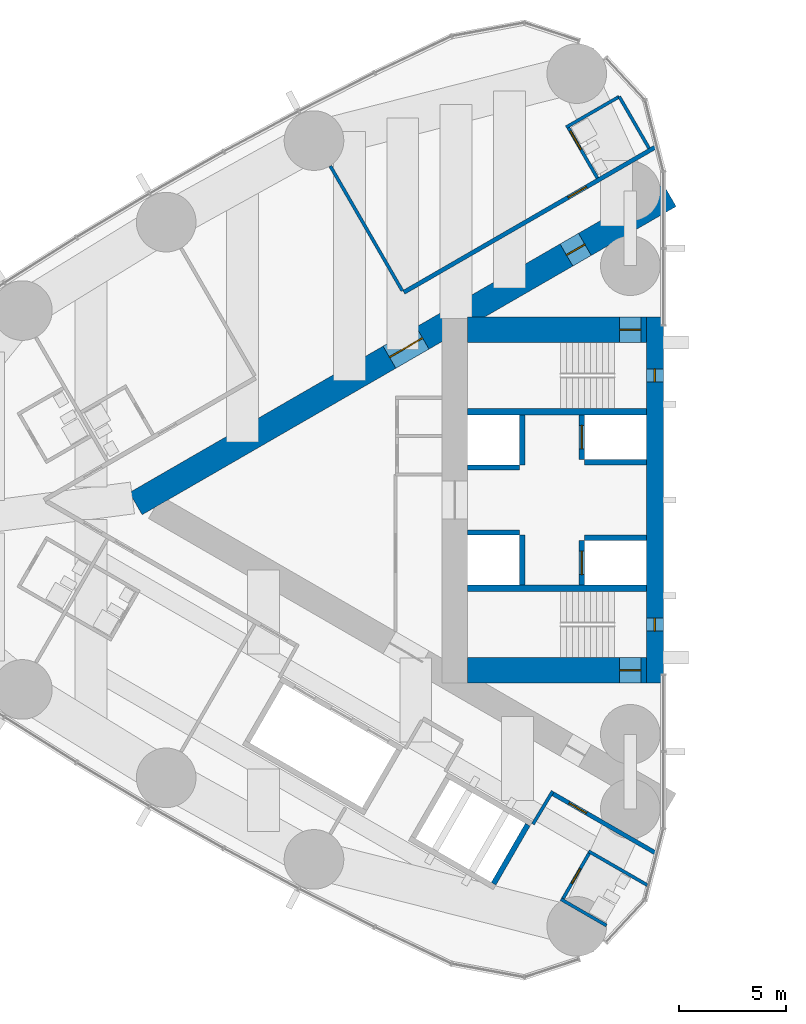
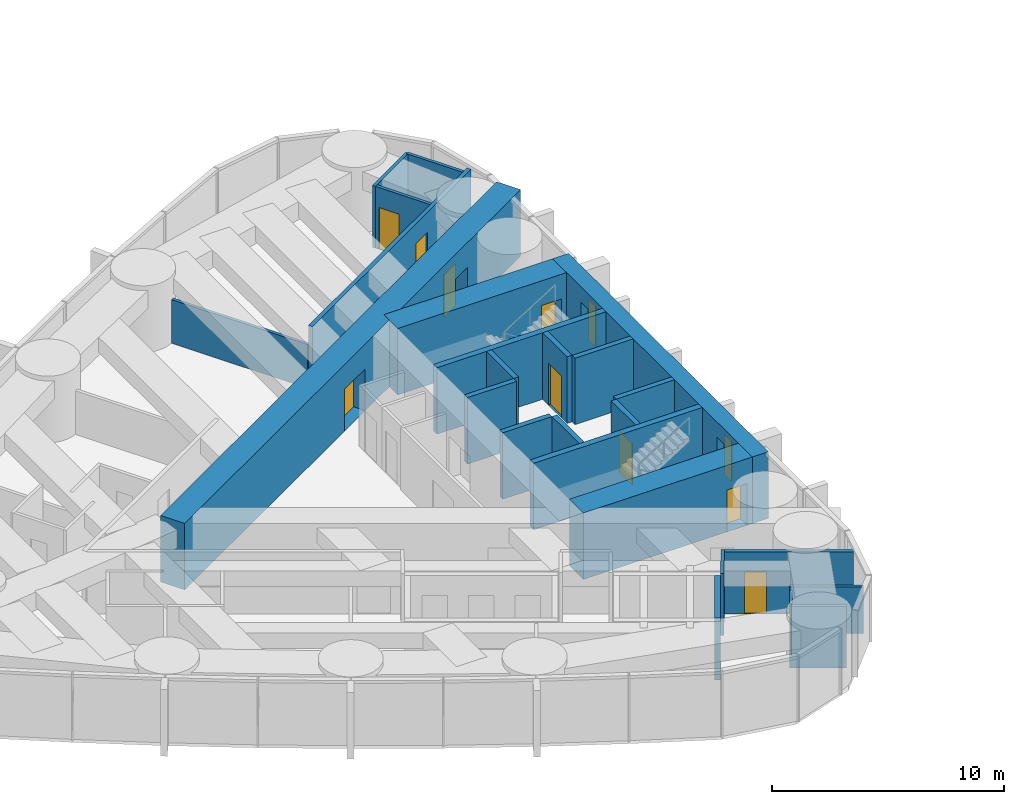
# One storey, part 13 of 19: 25 walls, 10 doors, 2 windows, 12 openings.
"""IFC4 building model written with IfcOpenShell, lengths in metres."""

from ifc_helpers import new_model, si_unit, direction, frame, frame_2d, origin, place, context, subcontext, project, spatial, rectangle, extrude, material, layer, layer_set, type_object, element, fill, save


model = new_model("IFC4")

# Units and contexts
model_context = context("Model", 3, precision=1e-05, world=origin(), true_north=direction((0.0, 1.0)))
body_context = subcontext(model_context, "Body", "Model", "MODEL_VIEW")
ifc_project = project(units=[si_unit("LENGTHUNIT", "METRE"), si_unit("AREAUNIT", "SQUARE_METRE"), si_unit("VOLUMEUNIT", "CUBIC_METRE"), si_unit("PLANEANGLEUNIT", "RADIAN"), si_unit("MASSUNIT", "GRAM", prefix="KILO")], contexts=[model_context])

# Site, building, storey
site_placement = place(None, origin())
site = spatial("IfcSite", under=ifc_project, at=site_placement, CompositionType="ELEMENT")
building_placement = place(site_placement, origin())
building = spatial("IfcBuilding", under=site, at=building_placement, Name="Lancet Gate Hotel", CompositionType="ELEMENT")
storey_placement = place(building_placement, frame((0.0, 0.0, 159.800048828125)))
storey = spatial("IfcBuildingStorey", under=building, at=storey_placement, Name="L42", CompositionType="ELEMENT", Elevation=159.800048828125)

# Wall
ifc_material_1 = material(Name="Moisture resistant board partition")
ifc_layer_1 = layer(ifc_material_1, 0.14990234375)
ifc_layer_set_1 = layer_set([ifc_layer_1], Name="Bathroom wall 150")
wall_type_1 = type_object("IfcWallType", Name="Bathroom wall 150", PredefinedType="PARTITIONING", material=ifc_layer_set_1)
wall_1_placement = place(storey_placement, frame((-29.56982421875, 18.936279296875, 0.0), z_axis=(0.0, 0.0, 1.0), x_axis=(-0.866018712932, -0.500011588718, 0.0)))
element("IfcWall", 1, at=wall_1_placement, inside=storey, type_object=wall_type_1, Name="T1 bathroom wall 150 L42", PredefinedType="PARTITIONING", context=body_context, shape_type="SweptSolid", body=[
    extrude(rectangle(XDim=2.875, YDim=0.14990234375, at=frame_2d((1.4375, 0.0))), origin(), (0.0, 0.0, 1.0), 3.25),
])

# Wall, opening, door
wall_2_placement = place(storey_placement, frame((-30.5947265625, 15.111328125, 0.0), z_axis=(0.0, 0.0, 1.0), x_axis=(-0.49998411664, 0.866034573852, 0.0)))
wall_2 = element("IfcWall", 2, at=wall_2_placement, inside=storey, type_object=wall_type_1, Name="T1 bathroom wall 150 L42", PredefinedType="PARTITIONING", context=body_context, shape_type="SweptSolid", body=[
    extrude(rectangle(XDim=2.7998046875, YDim=0.14990234375, at=frame_2d((1.39990234375, 0.0))), origin(), (0.0, 0.0, 1.0), 3.25),
])
opening_1_placement = place(wall_2_placement, frame((1.550048828125, 0.0, 0.0)))
opening_1 = element("IfcOpeningElement", 3, at=opening_1_placement, cuts=wall_2, Name="Opening 4201-B", PredefinedType="OPENING", context=body_context, shape_type="SweptSolid", body=[
    extrude(rectangle(XDim=1.0, YDim=2.199951171875, at=frame_2d((0.5, 1.10009765625))), frame((0.0, 0.0849609375, 0.0), z_axis=(0.0, -1.0, 0.0), x_axis=(1.0, 0.0, 0.0)), (0.0, 0.0, 1.0), 0.169921875),
])
ifc_material_2 = material(Name="Timber door set", Category="wood")
door_type_1 = type_object("IfcDoorType", Name="Accessible en-suite door 1000", OperationType="SINGLE_SWING_RIGHT", PredefinedType="DOOR", material=ifc_material_2)
door_1_placement = place(opening_1_placement, origin())
door_1 = element("IfcDoor", 4, at=door_1_placement, inside=storey, type_object=door_type_1, Name="4201-B", OperationType="SINGLE_SWING_RIGHT", OverallHeight=2.199951171875, OverallWidth=1.0, PredefinedType="DOOR", context=body_context, shape_type="SweptSolid", body=[
    extrude(rectangle(XDim=1.0, YDim=2.199951171875, at=frame_2d((0.5, 1.10009765625))), frame((0.0, 0.02490234375, 0.0), z_axis=(0.0, -1.0, 0.0), x_axis=(1.0, 0.0, 0.0)), (0.0, 0.0, 1.0), 0.050048828125),
])
fill(opening_1, door_1)

# Walls
wall_3_placement = place(storey_placement, frame((-28.169921875, 16.51123046875, 0.0), z_axis=(0.0, 0.0, 1.0), x_axis=(-0.49994636267, 0.866056369097, 0.0)))
element("IfcWall", 5, at=wall_3_placement, inside=storey, type_object=wall_type_1, Name="T1 bathroom wall 150 L42", PredefinedType="PARTITIONING", context=body_context, shape_type="SweptSolid", body=[
    extrude(rectangle(XDim=2.800048828125, YDim=0.14990234375, at=frame_2d((1.39990234375, 0.0))), origin(), (0.0, 0.0, 1.0), 3.25),
])
wall_4_placement = place(storey_placement, frame((-30.169921875, -19.975341796875, 0.0), z_axis=(0.0, 0.0, 1.0), x_axis=(-0.866006523861, 0.500032699561, 0.0)))
element("IfcWall", 6, at=wall_4_placement, inside=storey, type_object=wall_type_1, Name="T1 bathroom wall 150 L42", PredefinedType="PARTITIONING", context=body_context, shape_type="SweptSolid", body=[
    extrude(rectangle(XDim=2.474853515625, YDim=0.14990234375, at=frame_2d((1.2373046875, 0.0))), origin(), (0.0, 0.0, 1.0), 3.25),
])

# Wall, opening, door
wall_5_placement = place(storey_placement, frame((-30.9482421875, -16.523681640625, 0.0), z_axis=(0.0, 0.0, 1.0), x_axis=(-0.500006934395, -0.866021400173, 0.0)))
wall_5 = element("IfcWall", 7, at=wall_5_placement, inside=storey, type_object=wall_type_1, Name="T1 bathroom wall 150 L42", PredefinedType="PARTITIONING", context=body_context, shape_type="SweptSolid", body=[
    extrude(rectangle(XDim=2.60009765625, YDim=0.14990234375, at=frame_2d((1.300048828125, 0.0))), origin(), (0.0, 0.0, 1.0), 2.300048828125),
])
opening_2_placement = place(wall_5_placement, frame((0.89990234375, 0.0, 0.0)))
opening_2 = element("IfcOpeningElement", 8, at=opening_2_placement, cuts=wall_5, Name="Opening 4208-B", PredefinedType="OPENING", context=body_context, shape_type="SweptSolid", body=[
    extrude(rectangle(XDim=0.800048828125, YDim=2.199951171875, at=frame_2d((0.39990234375, 1.10009765625))), frame((0.0, 0.0849609375, 0.0), z_axis=(0.0, -1.0, 0.0), x_axis=(1.0, 0.0, 0.0)), (0.0, 0.0, 1.0), 0.169921875),
])
ifc_material_3 = material(Name="Timber door set", Category="wood")
door_type_2 = type_object("IfcDoorType", Name="Bathroom door 800", OperationType="SINGLE_SWING_RIGHT", PredefinedType="DOOR", material=ifc_material_3)
door_2_placement = place(opening_2_placement, origin())
door_2 = element("IfcDoor", 9, at=door_2_placement, inside=storey, type_object=door_type_2, Name="4208-B", OperationType="SINGLE_SWING_RIGHT", OverallHeight=2.199951171875, OverallWidth=0.800048828125, PredefinedType="DOOR", context=body_context, shape_type="SweptSolid", body=[
    extrude(rectangle(XDim=0.800048828125, YDim=2.199951171875, at=frame_2d((0.39990234375, 1.10009765625))), frame((0.0, 0.02490234375, 0.0), z_axis=(0.0, -1.0, 0.0), x_axis=(1.0, 0.0, 0.0)), (0.0, 0.0, 1.0), 0.050048828125),
])
fill(opening_2, door_2)

# Wall
wall_6_placement = place(storey_placement, frame((-28.246337890625, -18.083740234375, 0.0), z_axis=(0.0, 0.0, 1.0), x_axis=(-0.866029063467, 0.49999366119, 0.0)))
element("IfcWall", 10, at=wall_6_placement, inside=storey, type_object=wall_type_1, Name="T1 bathroom wall 150 L42", PredefinedType="PARTITIONING", context=body_context, shape_type="SweptSolid", body=[
    extrude(rectangle(XDim=3.19482421875, YDim=0.14990234375, at=frame_2d((1.597412109375, 0.0))), origin(), (0.0, 0.0, 1.0), 2.449951171875),
])

# Wall, openings, doors
ifc_material_4 = material(Name="Concrete C70/85", Category="concrete")
ifc_layer_2 = layer(ifc_material_4, 1.199951171875)
ifc_layer_set_2 = layer_set([ifc_layer_2], Name="Buttress wall 1200")
wall_type_2 = type_object("IfcWallType", Name="Buttress wall 1200", PredefinedType="SHEAR", material=ifc_layer_set_2)
wall_7_placement = place(storey_placement, frame((-27.199951171875, 14.300048828125, 0.0), z_axis=(0.0, 0.0, 1.0), x_axis=(-0.866026593062, -0.499997940104, 0.0)))
wall_7 = element("IfcWall", 11, at=wall_7_placement, inside=storey, type_object=wall_type_2, Name="T1 buttress wall S L42", PredefinedType="SHEAR", context=body_context, shape_type="SweptSolid", body=[
    extrude(rectangle(XDim=28.9462890625, YDim=1.199951171875, at=frame_2d((14.47314453125, 0.0))), origin(), (0.0, 0.0, 1.0), 3.5),
])
opening_3_placement = place(wall_7_placement, frame((4.60009765625, 0.0, 0.0)))
opening_3 = element("IfcOpeningElement", 12, at=opening_3_placement, cuts=wall_7, Name="Opening T1-L42-LS", PredefinedType="OPENING", context=body_context, shape_type="SweptSolid", body=[
    extrude(rectangle(XDim=1.0, YDim=2.199951171875, at=frame_2d((0.5, 1.10009765625))), frame((0.0, 0.60986328125, 0.0), z_axis=(0.0, -1.0, 0.0), x_axis=(1.0, 0.0, 0.0)), (0.0, 0.0, 1.0), 1.219970703125),
])
opening_4_placement = place(wall_7_placement, frame((13.39453125, 0.0, 0.0)))
opening_4 = element("IfcOpeningElement", 13, at=opening_4_placement, cuts=wall_7, Name="Opening T1-L42-LHS", PredefinedType="OPENING", context=body_context, shape_type="SweptSolid", body=[
    extrude(rectangle(XDim=1.800048828125, YDim=2.199951171875, at=frame_2d((0.89990234375, 1.10009765625))), frame((0.0, 0.60986328125, 0.0), z_axis=(0.0, -1.0, 0.0), x_axis=(1.0, 0.0, 0.0)), (0.0, 0.0, 1.0), 1.219970703125),
])
ifc_material_5 = material(Name="Timber door set", Category="wood")
door_type_3 = type_object("IfcDoorType", Name="Lobby double door 1800", OperationType="DOUBLE_DOOR_SINGLE_SWING", PredefinedType="DOOR", material=ifc_material_5)
door_3_placement = place(opening_4_placement, origin())
door_3 = element("IfcDoor", 14, at=door_3_placement, inside=storey, type_object=door_type_3, Name="T1-L42-LHS", OperationType="DOUBLE_DOOR_SINGLE_SWING", OverallHeight=2.199951171875, OverallWidth=1.800048828125, PredefinedType="DOOR", context=body_context, shape_type="SweptSolid", body=[
    extrude(rectangle(XDim=1.800048828125, YDim=2.199951171875, at=frame_2d((0.89990234375, 1.10009765625))), frame((0.0, 0.02490234375, 0.0), z_axis=(0.0, -1.0, 0.0), x_axis=(1.0, 0.0, 0.0)), (0.0, 0.0, 1.0), 0.050048828125),
])
fill(opening_4, door_3)
ifc_material_6 = material(Name="Timber door set", Category="wood")
door_type_4 = type_object("IfcDoorType", Name="Stair lobby door 1000", OperationType="SINGLE_SWING_LEFT", PredefinedType="DOOR", material=ifc_material_6)
door_4_placement = place(opening_3_placement, origin())
door_4 = element("IfcDoor", 15, at=door_4_placement, inside=storey, type_object=door_type_4, Name="T1-L42-LS", OperationType="SINGLE_SWING_LEFT", OverallHeight=2.199951171875, OverallWidth=1.0, PredefinedType="DOOR", context=body_context, shape_type="SweptSolid", body=[
    extrude(rectangle(XDim=1.0, YDim=2.199951171875, at=frame_2d((0.5, 1.10009765625))), frame((0.0, 0.02490234375, 0.0), z_axis=(0.0, -1.0, 0.0), x_axis=(1.0, 0.0, 0.0)), (0.0, 0.0, 1.0), 0.050048828125),
])
fill(opening_3, door_4)

# Wall, opening, door
ifc_material_7 = material(Name="Concrete C70/85", Category="concrete")
ifc_layer_3 = layer(ifc_material_7, 1.199951171875)
ifc_layer_set_3 = layer_set([ifc_layer_3], Name="Core wall 1200")
wall_type_3 = type_object("IfcWallType", Name="Core wall 1200", PredefinedType="SHEAR", material=ifc_layer_set_3)
wall_8_placement = place(storey_placement, frame((-28.300048828125, 8.0, 0.0), z_axis=(0.0, 0.0, 1.0), x_axis=(-1.0, 0.0, 0.0)))
wall_8 = element("IfcWall", 16, at=wall_8_placement, inside=storey, type_object=wall_type_3, Name="T1 core wall side-S L42", PredefinedType="SHEAR", context=body_context, shape_type="SweptSolid", body=[
    extrude(rectangle(XDim=8.39990234375, YDim=1.199951171875, at=frame_2d((4.199951171875, 0.0))), origin(), (0.0, 0.0, 1.0), 3.5),
])
opening_5_placement = place(wall_8_placement, frame((0.25, 0.0, 0.0)))
opening_5 = element("IfcOpeningElement", 17, at=opening_5_placement, cuts=wall_8, Name="Opening T1-L42-ST1", PredefinedType="OPENING", context=body_context, shape_type="SweptSolid", body=[
    extrude(rectangle(XDim=1.0, YDim=2.199951171875, at=frame_2d((0.5, 1.10009765625))), frame((0.0, 0.60986328125, 0.0), z_axis=(0.0, -1.0, 0.0), x_axis=(1.0, 0.0, 0.0)), (0.0, 0.0, 1.0), 1.219970703125),
])
ifc_material_8 = material(Name="Timber door set", Category="wood")
door_type_5 = type_object("IfcDoorType", Name="Stair door 1000", OperationType="SINGLE_SWING_RIGHT", PredefinedType="DOOR", material=ifc_material_8)
door_5_placement = place(opening_5_placement, origin())
door_5 = element("IfcDoor", 18, at=door_5_placement, inside=storey, type_object=door_type_5, Name="T1-L42-ST1", OperationType="SINGLE_SWING_RIGHT", OverallHeight=2.199951171875, OverallWidth=1.0, PredefinedType="DOOR", context=body_context, shape_type="SweptSolid", body=[
    extrude(rectangle(XDim=1.0, YDim=2.199951171875, at=frame_2d((0.5, 1.10009765625))), frame((0.0, 0.02490234375, 0.0), z_axis=(0.0, -1.0, 0.0), x_axis=(1.0, 0.0, 0.0)), (0.0, 0.0, 1.0), 0.050048828125),
])
fill(opening_5, door_5)

wall_9_placement = place(storey_placement, frame((-28.300048828125, -8.0, 0.0), z_axis=(0.0, 0.0, 1.0), x_axis=(-1.0, 0.0, 0.0)))
wall_9 = element("IfcWall", 19, at=wall_9_placement, inside=storey, type_object=wall_type_3, Name="T1 core wall side-N L42", PredefinedType="SHEAR", context=body_context, shape_type="SweptSolid", body=[
    extrude(rectangle(XDim=8.39990234375, YDim=1.199951171875, at=frame_2d((4.199951171875, 0.0))), origin(), (0.0, 0.0, 1.0), 3.5),
])
opening_6_placement = place(wall_9_placement, frame((0.25, 0.0, 0.0)))
opening_6 = element("IfcOpeningElement", 20, at=opening_6_placement, cuts=wall_9, Name="Opening T1-L42-ST2", PredefinedType="OPENING", context=body_context, shape_type="SweptSolid", body=[
    extrude(rectangle(XDim=1.0, YDim=2.199951171875, at=frame_2d((0.5, 1.10009765625))), frame((0.0, 0.60986328125, 0.0), z_axis=(0.0, -1.0, 0.0), x_axis=(1.0, 0.0, 0.0)), (0.0, 0.0, 1.0), 1.219970703125),
])
door_6_placement = place(opening_6_placement, origin())
door_6 = element("IfcDoor", 21, at=door_6_placement, inside=storey, type_object=door_type_5, Name="T1-L42-ST2", OperationType="SINGLE_SWING_RIGHT", OverallHeight=2.199951171875, OverallWidth=1.0, PredefinedType="DOOR", context=body_context, shape_type="SweptSolid", body=[
    extrude(rectangle(XDim=1.0, YDim=2.199951171875, at=frame_2d((0.5, 1.10009765625))), frame((0.0, 0.02490234375, 0.0), z_axis=(0.0, -1.0, 0.0), x_axis=(1.0, 0.0, 0.0)), (0.0, 0.0, 1.0), 0.050048828125),
])
fill(opening_6, door_6)

# Wall, openings, windows
ifc_material_9 = material(Name="Concrete C70/85", Category="concrete")
ifc_layer_4 = layer(ifc_material_9, 0.800048828125)
ifc_layer_set_4 = layer_set([ifc_layer_4], Name="Core wall 800")
wall_type_4 = type_object("IfcWallType", Name="Core wall 800", PredefinedType="SHEAR", material=ifc_layer_set_4)
wall_10_placement = place(storey_placement, frame((-27.89990234375, 8.60009765625, 0.0), z_axis=(0.0, 0.0, 1.0), x_axis=(0.0, -1.0, 0.0)))
wall_10 = element("IfcWall", 22, at=wall_10_placement, inside=storey, type_object=wall_type_4, Name="T1 core wall front L42", PredefinedType="SHEAR", context=body_context, shape_type="SweptSolid", body=[
    extrude(rectangle(XDim=17.2001953125, YDim=0.800048828125, at=frame_2d((8.60009765625, 0.0))), origin(), (0.0, 0.0, 1.0), 3.5),
])
opening_7_placement = place(wall_10_placement, frame((2.449951171875, 0.0, 0.60009765625)))
opening_7 = element("IfcOpeningElement", 23, at=opening_7_placement, cuts=wall_10, Name="Opening LW1", PredefinedType="OPENING", context=body_context, shape_type="SweptSolid", body=[
    extrude(rectangle(XDim=0.60009765625, YDim=2.10009765625, at=frame_2d((0.300048828125, 1.050048828125))), frame((0.0, 0.409912109375, 0.0), z_axis=(0.0, -1.0, 0.0), x_axis=(1.0, 0.0, 0.0)), (0.0, 0.0, 1.0), 0.820068359375),
])
opening_8_placement = place(wall_10_placement, frame((14.14990234375, 0.0, 0.60009765625)))
opening_8 = element("IfcOpeningElement", 24, at=opening_8_placement, cuts=wall_10, Name="Opening LW1", PredefinedType="OPENING", context=body_context, shape_type="SweptSolid", body=[
    extrude(rectangle(XDim=0.60009765625, YDim=2.10009765625, at=frame_2d((0.300048828125, 1.050048828125))), frame((0.0, 0.409912109375, 0.0), z_axis=(0.0, -1.0, 0.0), x_axis=(1.0, 0.0, 0.0)), (0.0, 0.0, 1.0), 0.820068359375),
])
ifc_material_10 = material(Name="Fire-resisting glazed steel window", Category="steel")
window_type = type_object("IfcWindowType", Name="Lancet window 600x2100", PartitioningType="SINGLE_PANEL", PredefinedType="WINDOW", material=ifc_material_10)
window_1_placement = place(opening_7_placement, origin())
window_1 = element("IfcWindow", 25, at=window_1_placement, inside=storey, type_object=window_type, Name="T1 stair window S L42", OverallHeight=2.10009765625, OverallWidth=0.60009765625, PartitioningType="SINGLE_PANEL", PredefinedType="WINDOW", context=body_context, shape_type="SweptSolid", body=[
    extrude(rectangle(XDim=0.60009765625, YDim=2.10009765625, at=frame_2d((0.300048828125, 1.050048828125))), frame((0.0, 0.030029296875, 0.0), z_axis=(0.0, -1.0, 0.0), x_axis=(1.0, 0.0, 0.0)), (0.0, 0.0, 1.0), 0.06005859375),
])
fill(opening_7, window_1)
window_2_placement = place(opening_8_placement, origin())
window_2 = element("IfcWindow", 26, at=window_2_placement, inside=storey, type_object=window_type, Name="T1 stair window N L42", OverallHeight=2.10009765625, OverallWidth=0.60009765625, PartitioningType="SINGLE_PANEL", PredefinedType="WINDOW", context=body_context, shape_type="SweptSolid", body=[
    extrude(rectangle(XDim=0.60009765625, YDim=2.10009765625, at=frame_2d((0.300048828125, 1.050048828125))), frame((0.0, 0.030029296875, 0.0), z_axis=(0.0, -1.0, 0.0), x_axis=(1.0, 0.0, 0.0)), (0.0, 0.0, 1.0), 0.06005859375),
])
fill(opening_8, window_2)

# Wall, opening, door
ifc_material_11 = material(Name="Gypsum board partition")
ifc_layer_5 = layer(ifc_material_11, 0.199951171875)
ifc_layer_set_5 = layer_set([ifc_layer_5], Name="Corridor wall 200")
wall_type_5 = type_object("IfcWallType", Name="Corridor wall 200", PredefinedType="PARTITIONING", material=ifc_layer_set_5)
wall_11_placement = place(storey_placement, frame((-27.860107421875, -16.57470703125, 0.0), z_axis=(0.0, 0.0, 1.0), x_axis=(-0.866019269751, 0.500010624307, 0.0)))
wall_11 = element("IfcWall", 27, at=wall_11_placement, inside=storey, type_object=wall_type_5, Name="T1 corridor wall 200 L42", PredefinedType="PARTITIONING", context=body_context, shape_type="SweptSolid", body=[
    extrude(rectangle(XDim=5.62255859375, YDim=0.199951171875, at=frame_2d((2.811279296875, 0.0))), origin(), (0.0, 0.0, 1.0), 3.25),
])
opening_9_placement = place(wall_11_placement, frame((3.75, 0.0, 0.0)))
opening_9 = element("IfcOpeningElement", 28, at=opening_9_placement, cuts=wall_11, Name="Opening 4208-E", PredefinedType="OPENING", context=body_context, shape_type="SweptSolid", body=[
    extrude(rectangle(XDim=0.949951171875, YDim=2.199951171875, at=frame_2d((0.47509765625, 1.10009765625))), frame((0.0, 0.10986328125, 0.0), z_axis=(0.0, -1.0, 0.0), x_axis=(1.0, 0.0, 0.0)), (0.0, 0.0, 1.0), 0.219970703125),
])
ifc_material_12 = material(Name="Timber door set", Category="wood")
door_type_6 = type_object("IfcDoorType", Name="Guest room entry door 950", OperationType="SINGLE_SWING_LEFT", PredefinedType="DOOR", material=ifc_material_12)
door_7_placement = place(opening_9_placement, origin())
door_7 = element("IfcDoor", 29, at=door_7_placement, inside=storey, type_object=door_type_6, Name="4208-E", OperationType="SINGLE_SWING_LEFT", OverallHeight=2.199951171875, OverallWidth=0.949951171875, PredefinedType="DOOR", context=body_context, shape_type="SweptSolid", body=[
    extrude(rectangle(XDim=0.949951171875, YDim=2.199951171875, at=frame_2d((0.47509765625, 1.10009765625))), frame((0.0, 0.02490234375, 0.0), z_axis=(0.0, -1.0, 0.0), x_axis=(1.0, 0.0, 0.0)), (0.0, 0.0, 1.0), 0.050048828125),
])
fill(opening_9, door_7)

wall_12_placement = place(storey_placement, frame((-27.860107421875, 16.57470703125, 0.0), z_axis=(0.0, 0.0, 1.0), x_axis=(-0.866026850238, -0.499997494661, 0.0)))
wall_12 = element("IfcWall", 30, at=wall_12_placement, inside=storey, type_object=wall_type_5, Name="T1 corridor wall 200 L42", PredefinedType="PARTITIONING", context=body_context, shape_type="SweptSolid", body=[
    extrude(rectangle(XDim=13.6513671875, YDim=0.199951171875, at=frame_2d((6.82568359375, 0.0))), origin(), (0.0, 0.0, 1.0), 3.25),
])
opening_10_placement = place(wall_12_placement, frame((3.75, 0.0, 0.0)))
opening_10 = element("IfcOpeningElement", 31, at=opening_10_placement, cuts=wall_12, Name="Opening 4201-E", PredefinedType="OPENING", context=body_context, shape_type="SweptSolid", body=[
    extrude(rectangle(XDim=1.0, YDim=2.199951171875, at=frame_2d((0.5, 1.10009765625))), frame((0.0, 0.10986328125, 0.0), z_axis=(0.0, -1.0, 0.0), x_axis=(1.0, 0.0, 0.0)), (0.0, 0.0, 1.0), 0.219970703125),
])
ifc_material_13 = material(Name="Timber door set", Category="wood")
door_type_7 = type_object("IfcDoorType", Name="Accessible guest room door 1000", OperationType="SINGLE_SWING_LEFT", PredefinedType="DOOR", material=ifc_material_13)
door_8_placement = place(opening_10_placement, origin())
door_8 = element("IfcDoor", 32, at=door_8_placement, inside=storey, type_object=door_type_7, Name="4201-E", OperationType="SINGLE_SWING_LEFT", OverallHeight=2.199951171875, OverallWidth=1.0, PredefinedType="DOOR", context=body_context, shape_type="SweptSolid", body=[
    extrude(rectangle(XDim=1.0, YDim=2.199951171875, at=frame_2d((0.5, 1.10009765625))), frame((0.0, 0.02490234375, 0.0), z_axis=(0.0, -1.0, 0.0), x_axis=(1.0, 0.0, 0.0)), (0.0, 0.0, 1.0), 0.050048828125),
])
fill(opening_10, door_8)

# Wall
ifc_material_14 = material(Name="Gypsum board partition")
ifc_layer_6 = layer(ifc_material_14, 0.25)
ifc_layer_set_6 = layer_set([ifc_layer_6], Name="Lift shaft partition 250")
wall_type_6 = type_object("IfcWallType", Name="Lift shaft partition 250", PredefinedType="PARTITIONING", material=ifc_layer_set_6)
wall_13_placement = place(storey_placement, frame((-33.8662109375, -15.242919921875, 0.0), z_axis=(0.0, 0.0, 1.0), x_axis=(-0.499929347863, -0.866066190972, 0.0)))
element("IfcWall", 33, at=wall_13_placement, inside=storey, type_object=wall_type_6, Name="T1 lift shaft wall EX L42", PredefinedType="PARTITIONING", context=body_context, shape_type="SweptSolid", body=[
    extrude(rectangle(XDim=3.20068359375, YDim=0.25, at=frame_2d((1.600341796875, 0.0))), origin(), (0.0, 0.0, 1.0), 3.25),
])

# Wall, opening, door
ifc_material_15 = material(Name="Concrete C50/60", Category="concrete")
ifc_layer_7 = layer(ifc_material_15, 0.25)
ifc_layer_set_7 = layer_set([ifc_layer_7], Name="Lift shaft wall 250")
wall_type_7 = type_object("IfcWallType", Name="Lift shaft wall 250", PredefinedType="SHEAR", material=ifc_layer_set_7)
wall_14_placement = place(storey_placement, frame((-31.324951171875, 4.0, 0.0), z_axis=(0.0, 0.0, 1.0), x_axis=(0.0, -1.0, 0.0)))
wall_14 = element("IfcWall", 34, at=wall_14_placement, inside=storey, type_object=wall_type_7, Name="T1 core wall row1-S L42", PredefinedType="SHEAR", context=body_context, shape_type="SweptSolid", body=[
    extrude(rectangle(XDim=2.10009765625, YDim=0.25, at=frame_2d((1.050048828125, 0.0))), origin(), (0.0, 0.0, 1.0), 3.5),
])
opening_11_placement = place(wall_14_placement, frame((0.5, 0.0, 0.0)))
opening_11 = element("IfcOpeningElement", 35, at=opening_11_placement, cuts=wall_14, Name="Opening T1-SL1-L42", PredefinedType="OPENING", context=body_context, shape_type="SweptSolid", body=[
    extrude(rectangle(XDim=1.10009765625, YDim=2.199951171875, at=frame_2d((0.550048828125, 1.10009765625))), frame((0.0, 0.135009765625, 0.0), z_axis=(0.0, -1.0, 0.0), x_axis=(1.0, 0.0, 0.0)), (0.0, 0.0, 1.0), 0.27001953125),
])
ifc_material_16 = material(Name="Timber door set", Category="wood")
door_type_8 = type_object("IfcDoorType", Name="Service lift landing door 1100", OperationType="SLIDING_TO_LEFT", PredefinedType="USERDEFINED", material=ifc_material_16)
door_9_placement = place(opening_11_placement, origin())
door_9 = element("IfcDoor", 36, at=door_9_placement, inside=storey, type_object=door_type_8, Name="T1-SL1-L42", ObjectType="LIFT LANDING DOOR", OperationType="SLIDING_TO_LEFT", OverallHeight=2.199951171875, OverallWidth=1.10009765625, PredefinedType="USERDEFINED", context=body_context, shape_type="SweptSolid", body=[
    extrude(rectangle(XDim=1.10009765625, YDim=2.199951171875, at=frame_2d((0.550048828125, 1.10009765625))), frame((0.0, 0.02490234375, 0.0), z_axis=(0.0, -1.0, 0.0), x_axis=(1.0, 0.0, 0.0)), (0.0, 0.0, 1.0), 0.050048828125),
])
fill(opening_11, door_9)

# Walls
wall_15_placement = place(storey_placement, frame((-34.125, 4.0, 0.0), z_axis=(0.0, 0.0, 1.0), x_axis=(0.0, -1.0, 0.0)))
element("IfcWall", 37, at=wall_15_placement, inside=storey, type_object=wall_type_7, Name="T1 core wall row2-S L42", PredefinedType="SHEAR", context=body_context, shape_type="SweptSolid", body=[
    extrude(rectangle(XDim=2.35009765625, YDim=0.25, at=frame_2d((1.175048828125, 0.0))), origin(), (0.0, 0.0, 1.0), 3.5),
])
wall_16_placement = place(storey_placement, frame((-28.300048828125, 1.77490234375, 0.0), z_axis=(0.0, 0.0, 1.0), x_axis=(-1.0, 0.0, 0.0)))
element("IfcWall", 38, at=wall_16_placement, inside=storey, type_object=wall_type_7, Name="T1 core wall pass1-S L42", PredefinedType="SHEAR", context=body_context, shape_type="SweptSolid", body=[
    extrude(rectangle(XDim=2.89990234375, YDim=0.25, at=frame_2d((1.449951171875, 0.0))), origin(), (0.0, 0.0, 1.0), 3.5),
])
wall_17_placement = place(storey_placement, frame((-34.25, 1.52490234375, 0.0), z_axis=(0.0, 0.0, 1.0), x_axis=(-1.0, 0.0, 0.0)))
element("IfcWall", 39, at=wall_17_placement, inside=storey, type_object=wall_type_7, Name="T1 core wall pass2-S L42", PredefinedType="SHEAR", context=body_context, shape_type="SweptSolid", body=[
    extrude(rectangle(XDim=2.449951171875, YDim=0.25, at=frame_2d((1.22509765625, 0.0))), origin(), (0.0, 0.0, 1.0), 3.5),
])

# Wall, opening, door
wall_18_placement = place(storey_placement, frame((-31.324951171875, -1.89990234375, 0.0), z_axis=(0.0, 0.0, 1.0), x_axis=(0.0, -1.0, 0.0)))
wall_18 = element("IfcWall", 40, at=wall_18_placement, inside=storey, type_object=wall_type_7, Name="T1 core wall row1-N L42", PredefinedType="SHEAR", context=body_context, shape_type="SweptSolid", body=[
    extrude(rectangle(XDim=2.10009765625, YDim=0.25, at=frame_2d((1.050048828125, 0.0))), origin(), (0.0, 0.0, 1.0), 3.5),
])
opening_12_placement = place(wall_18_placement, frame((0.5, 0.0, 0.0)))
opening_12 = element("IfcOpeningElement", 41, at=opening_12_placement, cuts=wall_18, Name="Opening T1-FL2-L42", PredefinedType="OPENING", context=body_context, shape_type="SweptSolid", body=[
    extrude(rectangle(XDim=1.10009765625, YDim=2.199951171875, at=frame_2d((0.550048828125, 1.10009765625))), frame((0.0, 0.135009765625, 0.0), z_axis=(0.0, -1.0, 0.0), x_axis=(1.0, 0.0, 0.0)), (0.0, 0.0, 1.0), 0.27001953125),
])
ifc_material_17 = material(Name="Steel door set", Category="steel")
door_type_9 = type_object("IfcDoorType", Name="Firefighting lift landing door 1100", OperationType="SLIDING_TO_LEFT", PredefinedType="USERDEFINED", material=ifc_material_17)
door_10_placement = place(opening_12_placement, origin())
door_10 = element("IfcDoor", 42, at=door_10_placement, inside=storey, type_object=door_type_9, Name="T1-FL2-L42", ObjectType="LIFT LANDING DOOR", OperationType="SLIDING_TO_LEFT", OverallHeight=2.199951171875, OverallWidth=1.10009765625, PredefinedType="USERDEFINED", context=body_context, shape_type="SweptSolid", body=[
    extrude(rectangle(XDim=1.10009765625, YDim=2.199951171875, at=frame_2d((0.550048828125, 1.10009765625))), frame((0.0, 0.02490234375, 0.0), z_axis=(0.0, -1.0, 0.0), x_axis=(1.0, 0.0, 0.0)), (0.0, 0.0, 1.0), 0.050048828125),
])
fill(opening_12, door_10)

# Walls
wall_19_placement = place(storey_placement, frame((-34.125, -1.64990234375, 0.0), z_axis=(0.0, 0.0, 1.0), x_axis=(0.0, -1.0, 0.0)))
element("IfcWall", 43, at=wall_19_placement, inside=storey, type_object=wall_type_7, Name="T1 core wall row2-N L42", PredefinedType="SHEAR", context=body_context, shape_type="SweptSolid", body=[
    extrude(rectangle(XDim=2.35009765625, YDim=0.25, at=frame_2d((1.175048828125, 0.0))), origin(), (0.0, 0.0, 1.0), 3.5),
])
wall_20_placement = place(storey_placement, frame((-28.300048828125, -1.77490234375, 0.0), z_axis=(0.0, 0.0, 1.0), x_axis=(-1.0, 0.0, 0.0)))
element("IfcWall", 44, at=wall_20_placement, inside=storey, type_object=wall_type_7, Name="T1 core wall pass1-N L42", PredefinedType="SHEAR", context=body_context, shape_type="SweptSolid", body=[
    extrude(rectangle(XDim=2.89990234375, YDim=0.25, at=frame_2d((1.449951171875, 0.0))), origin(), (0.0, 0.0, 1.0), 3.5),
])
wall_21_placement = place(storey_placement, frame((-34.25, -1.52490234375, 0.0), z_axis=(0.0, 0.0, 1.0), x_axis=(-1.0, 0.0, 0.0)))
element("IfcWall", 45, at=wall_21_placement, inside=storey, type_object=wall_type_7, Name="T1 core wall pass2-N L42", PredefinedType="SHEAR", context=body_context, shape_type="SweptSolid", body=[
    extrude(rectangle(XDim=2.449951171875, YDim=0.25, at=frame_2d((1.22509765625, 0.0))), origin(), (0.0, 0.0, 1.0), 3.5),
])
ifc_material_18 = material(Name="Gypsum board partition")
ifc_layer_8 = layer(ifc_material_18, 0.14990234375)
ifc_layer_set_8 = layer_set([ifc_layer_8], Name="Party wall 150")
wall_type_8 = type_object("IfcWallType", Name="Party wall 150", PredefinedType="PARTITIONING", material=ifc_layer_set_8)
wall_22_placement = place(storey_placement, frame((-39.75439453125, 9.822998046875, 0.0), z_axis=(0.0, 0.0, 1.0), x_axis=(-0.499997670926, 0.866026748472, 0.0)))
element("IfcWall", 46, at=wall_22_placement, inside=storey, type_object=wall_type_8, Name="T1 party wall 150 L42", PredefinedType="PARTITIONING", context=body_context, shape_type="SweptSolid", body=[
    extrude(rectangle(XDim=6.75732421875, YDim=0.14990234375, at=frame_2d((3.378662109375, 0.0))), origin(), (0.0, 0.0, 1.0), 2.300048828125),
])
ifc_material_19 = material(Name="Gypsum board partition")
ifc_layer_9 = layer(ifc_material_19, 0.14990234375)
ifc_layer_set_9 = layer_set([ifc_layer_9], Name="Service room wall 150")
wall_type_9 = type_object("IfcWallType", Name="Service room wall 150", PredefinedType="PARTITIONING", material=ifc_layer_set_9)
wall_23_placement = place(storey_placement, frame((-33.62060546875, -15.217529296875, 0.0), z_axis=(0.0, 0.0, 1.0), x_axis=(0.514336634837, 0.857588377991, 0.0)))
element("IfcWall", 47, at=wall_23_placement, inside=storey, type_object=wall_type_9, Name="T1 service room wall 150 L42", PredefinedType="PARTITIONING", context=body_context, shape_type="SweptSolid", body=[
    extrude(rectangle(XDim=1.80517578125, YDim=0.14990234375, at=frame_2d((0.902587890625, 0.0))), origin(), (0.0, 0.0, 1.0), 3.25),
])
ifc_material_20 = material(Name="Concrete C50/60", Category="concrete")
ifc_layer_10 = layer(ifc_material_20, 0.300048828125)
ifc_layer_set_10 = layer_set([ifc_layer_10], Name="Stair enclosure wall 300")
wall_type_10 = type_object("IfcWallType", Name="Stair enclosure wall 300", PredefinedType="SHEAR", material=ifc_layer_set_10)
for number, where, z_axis, x_axis, name in (
    (48, (-28.300048828125, 4.14990234375, 0.0), (0.0, 0.0, 1.0), (-1.0, 0.0, 0.0), "T1 core wall stair-S L42"),
    (49, (-28.300048828125, -4.14990234375, 0.0), (0.0, 0.0, 1.0), (-1.0, 0.0, 0.0), "T1 core wall stair-N L42"),
):
    element("IfcWall", number, at=place(storey_placement, frame(where, z_axis=z_axis, x_axis=x_axis)), inside=storey, type_object=wall_type_10, Name=name, PredefinedType="SHEAR", context=body_context, shape_type="SweptSolid", body=[
        extrude(rectangle(XDim=8.39990234375, YDim=0.300048828125, at=frame_2d((4.199951171875, 0.0))), origin(), (0.0, 0.0, 1.0), 3.5),
    ])

save(model, "model.ifc")
